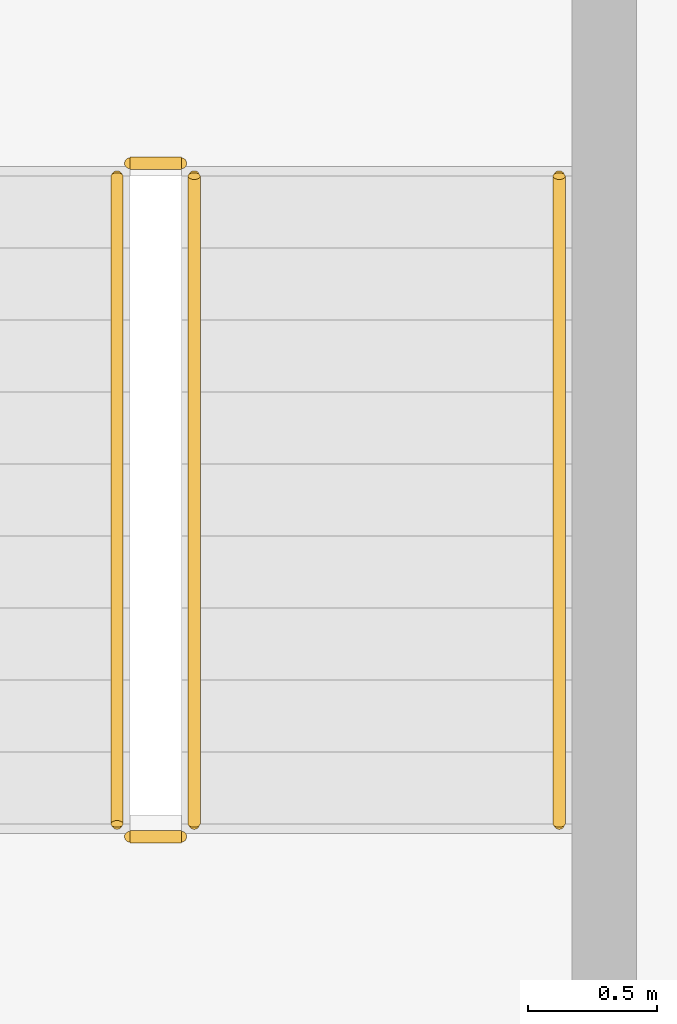
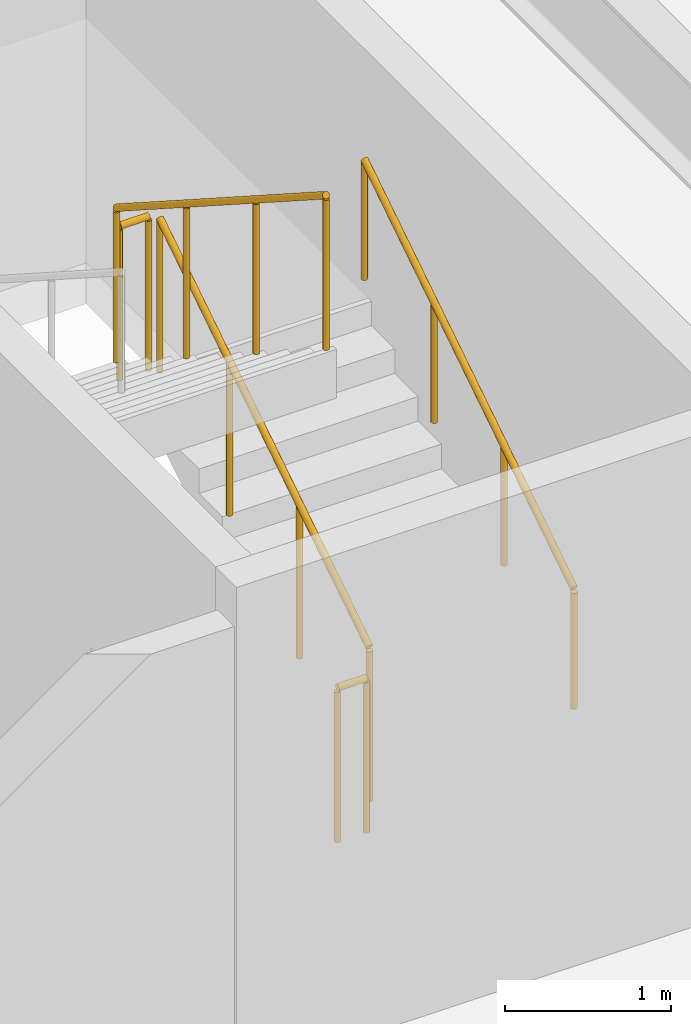
# One storey, part 23 of 23: 5 railings.
"""IFC4 building model written with IfcOpenShell, lengths in metres."""

from ifc_helpers import new_model, si_unit, direction, frame, origin, origin_2d, place, context, subcontext, project, spatial, circle, extrude, material, type_object, element, save


model = new_model("IFC4")

# Units and contexts
model_context = context("Model", 3, precision=1e-05, world=origin(), true_north=direction((0.0, 1.0)))
body_context = subcontext(model_context, "Body", "Model", "MODEL_VIEW")
ifc_project = project(units=[si_unit("LENGTHUNIT", "METRE"), si_unit("AREAUNIT", "SQUARE_METRE"), si_unit("VOLUMEUNIT", "CUBIC_METRE"), si_unit("PLANEANGLEUNIT", "RADIAN"), si_unit("MASSUNIT", "GRAM", prefix="KILO")], contexts=[model_context])

# Site, building, storey
site_placement = place(None, origin())
site = spatial("IfcSite", under=ifc_project, at=site_placement, CompositionType="ELEMENT")
building_placement = place(site_placement, origin())
building = spatial("IfcBuilding", under=site, at=building_placement, Name="Korimba Cascade Residences", CompositionType="ELEMENT")
storey_placement = place(building_placement, frame((0.0, 0.0, -3.60009765625)))
storey = spatial("IfcBuildingStorey", under=building, at=storey_placement, Name="B01", CompositionType="ELEMENT", Elevation=-3.60009765625)

# Railings
ifc_material_1 = material(Name="Painted Steel Stairwell Guardrail", Category="steel")
railing_type_1 = type_object("IfcRailingType", Name="RLG-ST-GD1150", PredefinedType="GUARDRAIL", material=ifc_material_1)
railing_1_placement = place(storey_placement, frame((136.27001953125, 83.64990234375, 0.18017578125)))
element("IfcRailing", 1, at=railing_1_placement, inside=storey, type_object=railing_type_1, Name="B01 ST-P4 stair guard 1", PredefinedType="GUARDRAIL", context=body_context, shape_type="SweptSolid", body=[
    extrude(circle(Radius=0.02392578125, at=origin_2d()), frame((0.0, 0.0, 1.1259765625), z_axis=(0.0, 0.841199657755, 0.540724639528), x_axis=(-1.0, 0.0, 0.0)), (0.0, 0.0, 1.0), 2.995849609375),
    extrude(circle(Radius=0.02099609375, at=origin_2d()), origin(), (0.0, 0.0, 1.0), 1.101806640625),
    extrude(circle(Radius=0.02099609375, at=origin_2d()), frame((0.0, 0.840087890625, 0.5400390625)), (0.0, 0.0, 1.0), 1.101806640625),
    extrude(circle(Radius=0.02099609375, at=origin_2d()), frame((0.0, 1.679931640625, 1.079833984375)), (0.0, 0.0, 1.0), 1.101806640625),
    extrude(circle(Radius=0.02099609375, at=origin_2d()), frame((0.0, 2.52001953125, 1.619873046875)), (0.0, 0.0, 1.0), 1.101806640625),
])
railing_2_placement = place(storey_placement, frame((136.219970703125, 86.219970703125, 1.800048828125)))
element("IfcRailing", 2, at=railing_2_placement, inside=storey, type_object=railing_type_1, Name="B01 ST-P4 stair guard 2", PredefinedType="GUARDRAIL", context=body_context, shape_type="SweptSolid", body=[
    extrude(circle(Radius=0.02392578125, at=origin_2d()), frame((0.0, 0.0, 1.1259765625), z_axis=(-1.0, 0.0, 0.0), x_axis=(0.0, -1.0, 0.0)), (0.0, 0.0, 1.0), 0.199951171875),
    extrude(circle(Radius=0.02099609375, at=origin_2d()), origin(), (0.0, 0.0, 1.0), 1.101806640625),
    extrude(circle(Radius=0.02099609375, at=origin_2d()), frame((-0.199951171875, 0.0, 0.0)), (0.0, 0.0, 1.0), 1.101806640625),
])
railing_3_placement = place(storey_placement, frame((135.969970703125, 86.169921875, 1.97998046875)))
element("IfcRailing", 3, at=railing_3_placement, inside=storey, type_object=railing_type_1, Name="B01 ST-P4 stair guard 3", PredefinedType="GUARDRAIL", context=body_context, shape_type="SweptSolid", body=[
    extrude(circle(Radius=0.02392578125, at=origin_2d()), frame((0.0, 0.0, 1.1259765625), z_axis=(0.0, -0.841162588446, 0.540782303519), x_axis=(1.0, 0.0, 0.0)), (0.0, 0.0, 1.0), 2.995849609375),
    extrude(circle(Radius=0.02099609375, at=origin_2d()), origin(), (0.0, 0.0, 1.0), 1.101806640625),
    extrude(circle(Radius=0.02099609375, at=origin_2d()), frame((0.0, -0.840087890625, 0.5400390625)), (0.0, 0.0, 1.0), 1.101806640625),
    extrude(circle(Radius=0.02099609375, at=origin_2d()), frame((0.0, -1.679931640625, 1.080078125)), (0.0, 0.0, 1.0), 1.101806640625),
    extrude(circle(Radius=0.02099609375, at=origin_2d()), frame((0.0, -2.52001953125, 1.6201171875)), (0.0, 0.0, 1.0), 1.101806640625),
])
railing_4_placement = place(storey_placement, frame((136.219970703125, 83.60009765625, 0.0)))
element("IfcRailing", 4, at=railing_4_placement, inside=storey, type_object=railing_type_1, Name="B01 ST-P4 stair guard 4", PredefinedType="GUARDRAIL", context=body_context, shape_type="SweptSolid", body=[
    extrude(circle(Radius=0.02392578125, at=origin_2d()), frame((0.0, 0.0, 1.1259765625), z_axis=(-1.0, 0.0, 0.0), x_axis=(0.0, -1.0, 0.0)), (0.0, 0.0, 1.0), 0.199951171875),
    extrude(circle(Radius=0.02099609375, at=origin_2d()), origin(), (0.0, 0.0, 1.0), 1.101806640625),
    extrude(circle(Radius=0.02099609375, at=origin_2d()), frame((-0.199951171875, 0.0, 0.0)), (0.0, 0.0, 1.0), 1.101806640625),
])
ifc_material_2 = material(Name="Brushed Stainless Steel Handrail", Category="steel")
railing_type_2 = type_object("IfcRailingType", Name="RLG-ST-HR900", PredefinedType="HANDRAIL", material=ifc_material_2)
railing_5_placement = place(storey_placement, frame((137.68994140625, 83.64990234375, 0.364013671875)))
element("IfcRailing", 5, at=railing_5_placement, inside=storey, type_object=railing_type_2, Name="B01 ST-P4 stair handrail 1", PredefinedType="HANDRAIL", context=body_context, shape_type="SweptSolid", body=[
    extrude(circle(Radius=0.02392578125, at=origin_2d()), frame((0.0, 0.0, 0.8759765625), z_axis=(0.0, 0.841199657755, 0.540724639528), x_axis=(-1.0, 0.0, 0.0)), (0.0, 0.0, 1.0), 2.995849609375),
    extrude(circle(Radius=0.02099609375, at=origin_2d()), origin(), (0.0, 0.0, 1.0), 0.851806640625),
    extrude(circle(Radius=0.02099609375, at=origin_2d()), frame((0.0, 0.840087890625, 0.5400390625)), (0.0, 0.0, 1.0), 0.851806640625),
    extrude(circle(Radius=0.02099609375, at=origin_2d()), frame((0.0, 1.679931640625, 1.079833984375)), (0.0, 0.0, 1.0), 0.851806640625),
    extrude(circle(Radius=0.02099609375, at=origin_2d()), frame((0.0, 2.52001953125, 1.619873046875)), (0.0, 0.0, 1.0), 0.851806640625),
])

save(model, "model.ifc")
